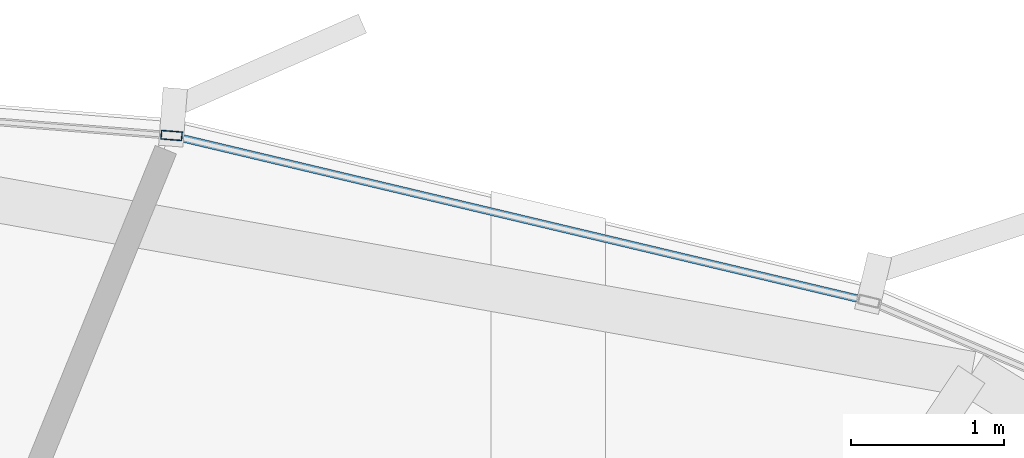
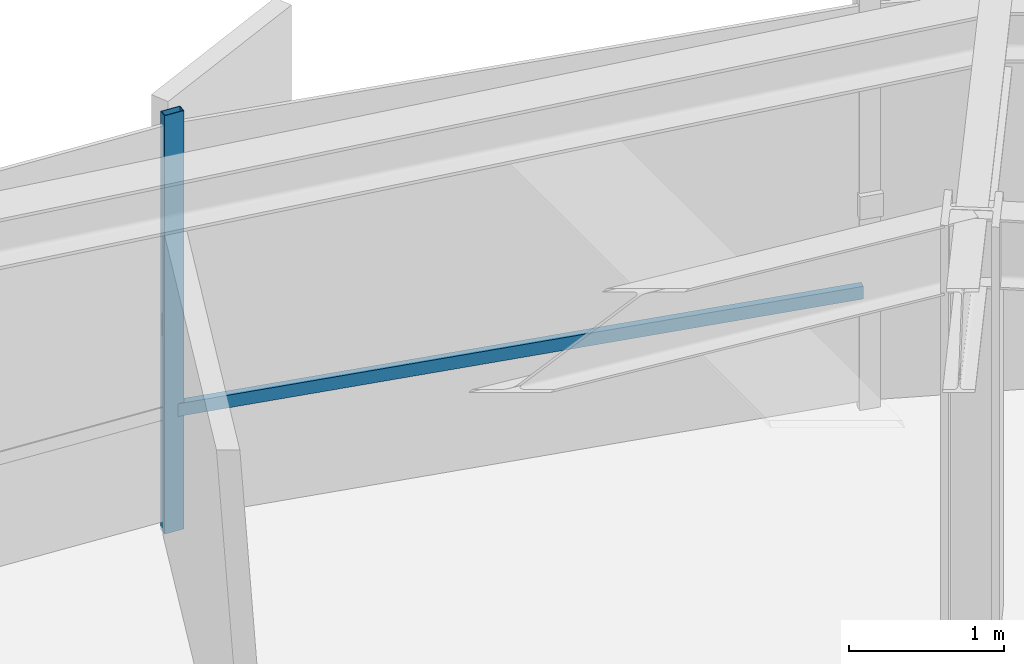
# One storey, part 25 of 37: 2 members, 1 element without a shape of its own.
"""IFC4 building model written with IfcOpenShell, lengths in metres."""

from ifc_helpers import new_model, si_unit, direction, frame, origin, origin_2d, place, context, subcontext, project, spatial, hollow_rectangle, extrude, source, transform, mapped, material, layer, layer_set, material_profile, profile_set, type_object, element, aggregate, save


model = new_model("IFC4")

# Units and contexts
model_context = context("Model", 3, precision=1e-05, world=origin(), true_north=direction((0.0, 1.0)))
body_context = subcontext(model_context, "Body", "Model", "MODEL_VIEW")
ifc_project = project(units=[si_unit("LENGTHUNIT", "METRE"), si_unit("AREAUNIT", "SQUARE_METRE"), si_unit("VOLUMEUNIT", "CUBIC_METRE"), si_unit("PLANEANGLEUNIT", "RADIAN"), si_unit("MASSUNIT", "GRAM", prefix="KILO"), si_unit("THERMODYNAMICTEMPERATUREUNIT", "KELVIN")], contexts=[model_context])

# Site, building, storey
site_placement = place(None, origin())
site = spatial("IfcSite", under=ifc_project, at=site_placement, CompositionType="ELEMENT")
building_placement = place(site_placement, origin())
building = spatial("IfcBuilding", under=site, at=building_placement, Name="Kethvar Cultural Tower", CompositionType="ELEMENT")
storey_placement = place(building_placement, frame((0.0, 0.0, 132.35009765625)))
storey = spatial("IfcBuildingStorey", under=building, at=storey_placement, Name="L33", CompositionType="ELEMENT", Elevation=132.35009765625)

# Curtain wall, members
ifc_material = material(Name="Aluminium 6063-T6", Category="aluminium")
ifc_layer = layer(ifc_material, 0.179931640625, Name="Aluminium 6063-T6", Category="aluminium")
ifc_layer_set = layer_set([ifc_layer], Name="Aluminium 6063-T6 (180 mm)")
curtain_wall_type = type_object("IfcCurtainWallType", Name="CW-SYS-04-Z34", PredefinedType="NOTDEFINED", material=ifc_layer_set)
curtain_wall_placement = place(storey_placement, origin())
curtain_wall = element("IfcCurtainWall", 1, at=curtain_wall_placement, inside=storey, type_object=curtain_wall_type, Name="L33 Curtain Wall Run 01", PredefinedType="NOTDEFINED")
ifc_material_profile_1 = material_profile(ifc_material, hollow_rectangle(XDim=0.06005859375, YDim=0.139892578125, WallThickness=0.0048828125, at=origin_2d()), Name="Aluminium 6063-T6 — RHS140x60x5")
ifc_profile_set_1 = profile_set([ifc_material_profile_1], Name="Aluminium 6063-T6 — RHS140x60x5")
member_type_1 = type_object("IfcMemberType", Name="CW-SYS-04-Z34-MUL", PredefinedType="MULLION", material=ifc_profile_set_1)
shared_shape_1 = source(origin(), body_context, "Body", "SweptSolid", [
    extrude(hollow_rectangle(XDim=0.06005859375, YDim=0.139892578125, WallThickness=0.0048828125, at=origin_2d()), origin(), (0.0, 0.0, 1.0), 3.2998046875),
])
member_1_placement = place(storey_placement, frame((56.481689453125, 51.6962890625, 0.0), z_axis=(0.0, 0.0, 1.0), x_axis=(-0.077884899581, -0.996962357573, 0.0)))
member_1 = element("IfcMember", 2, at=member_1_placement, type_object=member_type_1, Name="CW-L33-R01 Mullion 6", PredefinedType="MULLION", context=body_context, shape_type="MappedRepresentation", body=[
    mapped(shared_shape_1, transform((0.0, 0.0, 0.0), scale=1.0)),
])
ifc_material_profile_2 = material_profile(ifc_material, hollow_rectangle(XDim=0.050048828125, YDim=0.10009765625, WallThickness=0.00390625, at=origin_2d()), Name="Aluminium 6063-T6 — RHS100x50x4")
ifc_profile_set_2 = profile_set([ifc_material_profile_2], Name="Aluminium 6063-T6 — RHS100x50x4")
member_type_2 = type_object("IfcMemberType", Name="CW-SYS-04-Z34-TRN", PredefinedType="USERDEFINED", material=ifc_profile_set_2)
shared_shape_2 = source(origin(), body_context, "Body", "SweptSolid", [
    extrude(hollow_rectangle(XDim=0.050048828125, YDim=0.10009765625, WallThickness=0.00390625, at=origin_2d()), origin(), (0.0, 0.0, 1.0), 4.625732421875),
])
member_2_placement = place(storey_placement, frame((61.007568359375, 50.620361328125, 0.949951171875), z_axis=(-0.972949305156, 0.231018721312, 0.0), x_axis=(-0.231018721312, -0.972949305156, 0.0)))
member_2 = element("IfcMember", 3, at=member_2_placement, type_object=member_type_2, Name="CW-L33-R01 Transom 5", ObjectType="TRANSOM", PredefinedType="USERDEFINED", context=body_context, shape_type="MappedRepresentation", body=[
    mapped(shared_shape_2, transform((0.0, 0.0, 0.0), scale=1.0)),
])
aggregate(curtain_wall, [member_1, member_2])

save(model, "model.ifc")
